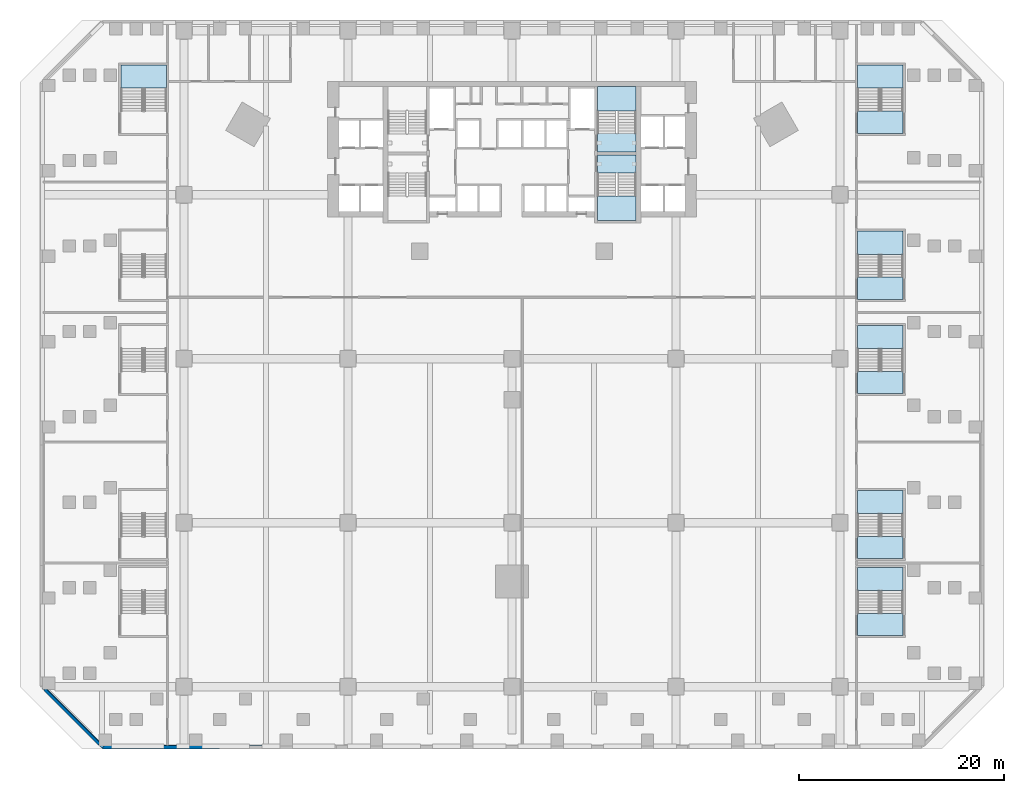
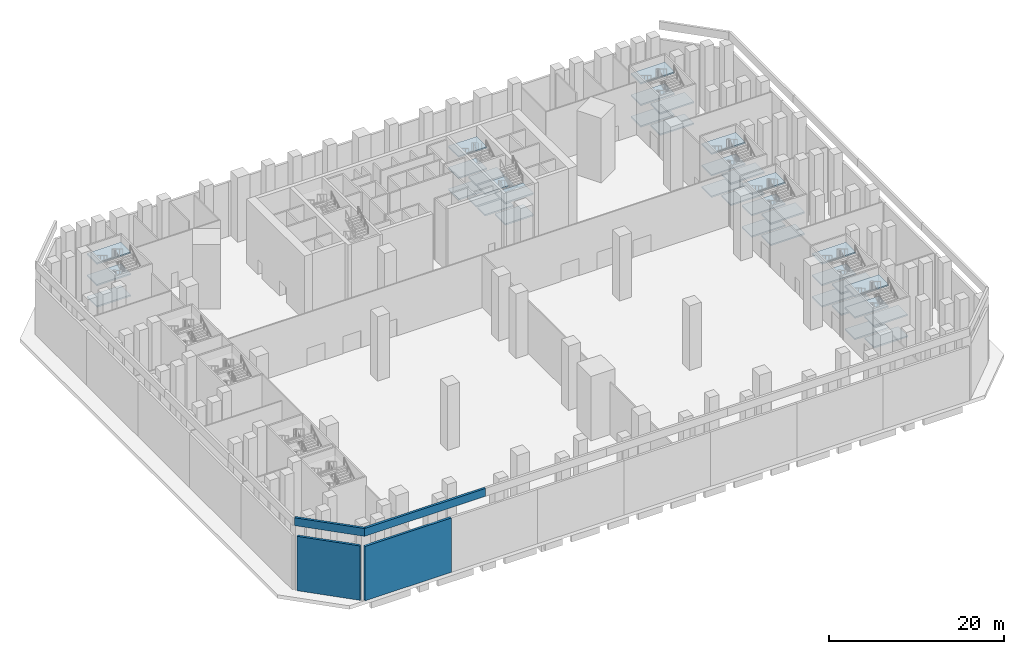
# One storey, part 4 of 25: 37 slabs, 4 walls, 8 elements without a shape of their own.
"""IFC4 building model written with IfcOpenShell, lengths in metres."""

import ifcopenshell
import ifcopenshell.guid

model = None  # the IFC model being written
_history = None  # IfcOwnerHistory: only IFC2X3 demands one
_inside = {}  # id of a spatial element -> (the spatial element, [elements in it])
_under = {}  # id of a project, library or spatial element -> (it, [spatial elements below it])
_declared = {}  # id of a project -> (the project, [libraries it declares])
_typed = {}  # id of a type object -> (the type object, [elements of that type])
_made_of = {}  # id of a material, layer set ... -> (it, [elements and type objects made of it])


def new_model(schema):
    """Start an empty IFC model of exactly this schema.

    Asked for "IFC4X3", IfcOpenShell would pick the latest addendum, in which some entities
    have other attributes; the version numbers below select the first issue.
    IFC2X3 requires an IfcOwnerHistory on every rooted entity: one is made here for all.
    """
    global model, _history
    if schema == "IFC4X3":
        model = ifcopenshell.file(schema_version=(4, 3, 0, 0))
    else:
        model = ifcopenshell.file(schema=schema)
    _inside.clear()
    _under.clear()
    _declared.clear()
    _typed.clear()
    _made_of.clear()
    _history = None
    if model.schema == "IFC2X3":
        org = make("IfcOrganization", Name="unknown")
        user = make(
            "IfcPersonAndOrganization",
            ThePerson=make("IfcPerson", FamilyName="unknown"),
            TheOrganization=org,
        )
        app = make(
            "IfcApplication",
            ApplicationDeveloper=org,
            Version="unknown",
            ApplicationFullName="unknown",
            ApplicationIdentifier="unknown",
        )
        _history = make(
            "IfcOwnerHistory",
            OwningUser=user,
            OwningApplication=app,
            ChangeAction="ADDED",
            CreationDate=0,
        )
    return model


def make(cls, **values):
    """One entity of the class cls with the attributes given. An attribute that is None is left unset."""
    return model.create_entity(
        cls, **{name: value for name, value in values.items() if value is not None}
    )


def rooted(cls, **values):
    """An entity with a GlobalId (a new one), such as an element, a storey or a relation."""
    return make(cls, GlobalId=ifcopenshell.guid.new(), OwnerHistory=_history, **values)


def si_unit(unit_type, name, prefix=None):
    """IfcSIUnit, for example si_unit("LENGTHUNIT", "METRE", prefix="MILLI")."""
    return make("IfcSIUnit", UnitType=unit_type, Prefix=prefix, Name=name)


def assignment(units):
    """IfcUnitAssignment: the units of a project."""
    return None if units is None else make("IfcUnitAssignment", Units=units)


def point(xyz):
    """IfcCartesianPoint."""
    return None if xyz is None else make("IfcCartesianPoint", Coordinates=xyz)


def direction(xyz):
    """IfcDirection."""
    return None if xyz is None else make("IfcDirection", DirectionRatios=xyz)


def frame(location, z_axis=None, x_axis=None):
    """IfcAxis2Placement3D, a coordinate frame: its origin and axes. An axis left out is left unset."""
    return make(
        "IfcAxis2Placement3D",
        Location=point(location),
        Axis=direction(z_axis),
        RefDirection=direction(x_axis),
    )


def frame_2d(location, x_axis=None):
    """IfcAxis2Placement2D, a coordinate frame in the plane: its origin and x axis."""
    return make(
        "IfcAxis2Placement2D", Location=point(location), RefDirection=direction(x_axis)
    )


def origin():
    """The frame at (0, 0, 0) with its axes left unset."""
    return frame((0.0, 0.0, 0.0))


def place(relative_to, where):
    """IfcLocalPlacement: puts the frame where relative to a parent placement (None: the world)."""
    return make(
        "IfcLocalPlacement", PlacementRelTo=relative_to, RelativePlacement=where
    )


def context(
    kind, dimensions, precision=None, world=None, true_north=None, identifier=None
):
    """IfcGeometricRepresentationContext, for example the 3D "Model" context."""
    return make(
        "IfcGeometricRepresentationContext",
        ContextIdentifier=identifier,
        ContextType=kind,
        CoordinateSpaceDimension=dimensions,
        Precision=precision,
        WorldCoordinateSystem=world,
        TrueNorth=true_north,
    )


def subcontext(parent, identifier, kind, view, scale=None):
    """IfcGeometricRepresentationSubContext, for example "Body" below "Model"."""
    return make(
        "IfcGeometricRepresentationSubContext",
        ContextIdentifier=identifier,
        ContextType=kind,
        ParentContext=parent,
        TargetScale=scale,
        TargetView=view,
    )


def project(units=None, contexts=None):
    """IfcProject with its units and contexts."""
    return rooted(
        "IfcProject",
        Name="project",
        RepresentationContexts=contexts,
        UnitsInContext=assignment(units),
    )


def spatial(cls, under=None, at=None, **own):
    """A site, building, storey or space (cls), placed at a placement, below another one or the project."""
    s = rooted(cls, ObjectPlacement=at, **own)
    if under is not None:
        _under.setdefault(under.id(), (under, []))[1].append(s)
    return s


def polyline(points):
    """IfcPolyline through the points."""
    return make("IfcPolyline", Points=[point(p) for p in points])


def profile(cls, at=None, kind="AREA", **sizes):
    """A parametric profile (cls). Its sizes go by their IFC names, for example OverallWidth=200.0."""
    return make(cls, ProfileType=kind, Position=at, **sizes)


def rectangle(**sizes):
    """IfcRectangleProfileDef."""
    return profile("IfcRectangleProfileDef", **sizes)


def outline(outer, holes=None, kind="AREA"):
    """IfcArbitraryClosedProfileDef: a profile drawn as a closed curve; with holes, ...WithVoids."""
    if holes is None:
        return make("IfcArbitraryClosedProfileDef", ProfileType=kind, OuterCurve=outer)
    return make(
        "IfcArbitraryProfileDefWithVoids",
        ProfileType=kind,
        OuterCurve=outer,
        InnerCurves=holes,
    )


def extrude(swept, where, along, depth):
    """IfcExtrudedAreaSolid: the profile swept, set in the frame where, extruded along a direction by depth."""
    return make(
        "IfcExtrudedAreaSolid",
        SweptArea=swept,
        Position=where,
        ExtrudedDirection=direction(along),
        Depth=depth,
    )


def shape(context_of_items, identifier, shape_type, items):
    """IfcShapeRepresentation: the items that make up one representation, for example the "Body"."""
    return make(
        "IfcShapeRepresentation",
        ContextOfItems=context_of_items,
        RepresentationIdentifier=identifier,
        RepresentationType=shape_type,
        Items=items,
    )


def material(Name=None, Category=None):
    """IfcMaterial."""
    return make("IfcMaterial", Name=Name, Category=Category)


def layer(
    of_material, thickness, ventilated=None, Name=None, Category=None, Priority=None
):
    """IfcMaterialLayer: one layer of a wall or slab, of a material (None: an air gap)."""
    return make(
        "IfcMaterialLayer",
        Material=of_material,
        LayerThickness=thickness,
        IsVentilated=ventilated,
        Name=Name,
        Category=Category,
        Priority=Priority,
    )


def layer_set(layers, Name=None):
    """IfcMaterialLayerSet."""
    return make("IfcMaterialLayerSet", MaterialLayers=layers, LayerSetName=Name)


def made_of(thing, what):
    """Note that an element or type object is made of a material, layer set ...; save() writes the relation."""
    if what is not None:
        _made_of.setdefault(what.id(), (what, []))[1].append(thing)
    return thing


def type_object(cls, material=None, **own):
    """A type object (cls), such as IfcWallType, which elements share."""
    return made_of(rooted(cls, **own), material)


def element(
    cls,
    number,
    at=None,
    inside=None,
    cuts=None,
    type_object=None,
    material=None,
    context=None,
    identifier="Body",
    shape_type=None,
    held_by="IfcProductDefinitionShape",
    body=None,
    shapes=None,
    **own,
):
    """One element of the class cls, such as IfcWall. Its Tag is "e" and its number.

    at: its placement. inside: the storey or other place that contains it. cuts: it is an
    opening in that element (IfcRelVoidsElement). A single representation is given by context,
    identifier, shape_type and body (its items); several are given by shapes. held_by: the class
    of the entity that holds the representations. save() writes the other relations.
    """
    e = rooted(cls, Tag="e%d" % number, ObjectPlacement=at, **own)
    if body is not None:
        shapes = [shape(context, identifier, shape_type, body)]
    if shapes is not None:
        e.Representation = make(held_by, Representations=shapes)
    if inside is not None:
        _inside.setdefault(inside.id(), (inside, []))[1].append(e)
    if cuts is not None:
        rooted(
            "IfcRelVoidsElement", RelatingBuildingElement=cuts, RelatedOpeningElement=e
        )
    if type_object is not None:
        _typed.setdefault(type_object.id(), (type_object, []))[1].append(e)
    return made_of(e, material)


def aggregate(whole, parts):
    """IfcRelAggregates: a whole, such as a stair, and the parts it consists of."""
    return rooted("IfcRelAggregates", RelatingObject=whole, RelatedObjects=parts)


def save(model, path):
    """Write the relations noted so far, then the file.

    IfcRelAggregates (storeys below a building ...), IfcRelContainedInSpatialStructure (elements
    in a storey), IfcRelDefinesByType, IfcRelAssociatesMaterial and IfcRelDeclares: one each for
    every whole, place, type object, material and project.
    """
    for whole, parts in _under.values():
        aggregate(whole, parts)
    for where, things in _inside.values():
        rooted(
            "IfcRelContainedInSpatialStructure",
            RelatedElements=things,
            RelatingStructure=where,
        )
    for kind, things in _typed.values():
        rooted("IfcRelDefinesByType", RelatedObjects=things, RelatingType=kind)
    for what, things in _made_of.values():
        rooted("IfcRelAssociatesMaterial", RelatedObjects=things, RelatingMaterial=what)
    for by, libraries in _declared.values():
        rooted("IfcRelDeclares", RelatingContext=by, RelatedDefinitions=libraries)
    model.write(path)


model = new_model("IFC4")

# Units and contexts
model_context = context("Model", 3, precision=1e-05, world=origin(), true_north=direction((0.0, 1.0)))
body_context = subcontext(model_context, "Body", "Model", "MODEL_VIEW")
ifc_project = project(units=[si_unit("LENGTHUNIT", "METRE"), si_unit("AREAUNIT", "SQUARE_METRE"), si_unit("VOLUMEUNIT", "CUBIC_METRE"), si_unit("PLANEANGLEUNIT", "RADIAN"), si_unit("MASSUNIT", "GRAM", prefix="KILO")], contexts=[model_context])

# Site, building, storey
site_placement = place(None, origin())
site = spatial("IfcSite", under=ifc_project, at=site_placement, CompositionType="ELEMENT")
building_placement = place(site_placement, origin())
building = spatial("IfcBuilding", under=site, at=building_placement, Name="Calabash Gate Tower", CompositionType="ELEMENT")
storey_placement = place(building_placement, frame((0.0, 0.0, 20.0)))
storey = spatial("IfcBuildingStorey", under=building, at=storey_placement, Name="L02", CompositionType="ELEMENT", Elevation=20.0)

# Stair, slabs
ifc_material_1 = material(Name="Concrete C40/50", Category="concrete")
stair_type_1 = type_object("IfcStairType", Name="Exit stair 54 risers of 166.7 mm", PredefinedType="HALF_TURN_STAIR", material=ifc_material_1)
stair_1_placement = place(storey_placement, origin())
stair_1 = element("IfcStair", 1, at=stair_1_placement, inside=storey, type_object=stair_type_1, Name="L02 Exit stair ST3", PredefinedType="HALF_TURN_STAIR")
ifc_material_2 = material(Name="Concrete C40/50", Category="concrete")
ifc_layer_1 = layer(ifc_material_2, 0.199951171875)
ifc_layer_set_1 = layer_set([ifc_layer_1], Name="Stair landing SL200")
slab_type = type_object("IfcSlabType", Name="Stair landing SL200", PredefinedType="LANDING", material=ifc_layer_set_1)
slab_1_placement = place(storey_placement, frame((0.0, 0.0, 1.300048828125)))
slab_1 = element("IfcSlab", 2, at=slab_1_placement, type_object=slab_type, Name="ST3 landing 1", PredefinedType="LANDING", context=body_context, shape_type="SweptSolid", body=[
    extrude(outline(polyline([(12.10009765625, 16.1845703125), (12.10009765625, 18.552490234375), (8.35009765625, 18.552490234375), (8.35009765625, 16.1845703125), (12.10009765625, 16.1845703125)])), origin(), (0.0, 0.0, 1.0), 0.199951171875),
])
slab_2_placement = place(storey_placement, frame((0.0, 0.0, 2.800048828125)))
slab_2 = element("IfcSlab", 3, at=slab_2_placement, type_object=slab_type, Name="ST3 landing 2", PredefinedType="LANDING", context=body_context, shape_type="SweptSolid", body=[
    extrude(outline(polyline([(12.10009765625, 12.152587890625), (12.10009765625, 13.95263671875), (8.35009765625, 13.95263671875), (8.35009765625, 12.152587890625), (12.10009765625, 12.152587890625)])), origin(), (0.0, 0.0, 1.0), 0.199951171875),
])
slab_3_placement = place(storey_placement, frame((0.0, 0.0, 4.300048828125)))
slab_3 = element("IfcSlab", 4, at=slab_3_placement, type_object=slab_type, Name="ST3 landing 3", PredefinedType="LANDING", context=body_context, shape_type="SweptSolid", body=[
    extrude(outline(polyline([(12.10009765625, 16.1845703125), (12.10009765625, 18.552490234375), (8.35009765625, 18.552490234375), (8.35009765625, 16.1845703125), (12.10009765625, 16.1845703125)])), origin(), (0.0, 0.0, 1.0), 0.199951171875),
])
slab_4_placement = place(storey_placement, frame((0.0, 0.0, 5.800048828125)))
slab_4 = element("IfcSlab", 5, at=slab_4_placement, type_object=slab_type, Name="ST3 landing 4", PredefinedType="LANDING", context=body_context, shape_type="SweptSolid", body=[
    extrude(outline(polyline([(12.10009765625, 12.152587890625), (12.10009765625, 13.95263671875), (8.35009765625, 13.95263671875), (8.35009765625, 12.152587890625), (12.10009765625, 12.152587890625)])), origin(), (0.0, 0.0, 1.0), 0.199951171875),
])
slab_5_placement = place(storey_placement, frame((0.0, 0.0, 7.300048828125)))
slab_5 = element("IfcSlab", 6, at=slab_5_placement, type_object=slab_type, Name="ST3 landing 5", PredefinedType="LANDING", context=body_context, shape_type="SweptSolid", body=[
    extrude(outline(polyline([(12.10009765625, 16.1845703125), (12.10009765625, 18.552490234375), (8.35009765625, 18.552490234375), (8.35009765625, 16.1845703125), (12.10009765625, 16.1845703125)])), origin(), (0.0, 0.0, 1.0), 0.199951171875),
])
aggregate(stair_1, [slab_1, slab_2, slab_3, slab_4, slab_5])

stair_2_placement = place(storey_placement, origin())
stair_2 = element("IfcStair", 7, at=stair_2_placement, inside=storey, type_object=stair_type_1, Name="L02 Exit stair ST4", PredefinedType="HALF_TURN_STAIR")
slab_6_placement = place(storey_placement, frame((0.0, 0.0, 2.800048828125)))
slab_6 = element("IfcSlab", 8, at=slab_6_placement, type_object=slab_type, Name="ST4 landing 2", PredefinedType="LANDING", context=body_context, shape_type="SweptSolid", body=[
    extrude(outline(polyline([(8.35009765625, 11.902587890625), (8.35009765625, 10.1025390625), (12.10009765625, 10.1025390625), (12.10009765625, 11.902587890625), (8.35009765625, 11.902587890625)])), origin(), (0.0, 0.0, 1.0), 0.199951171875),
])
slab_7_placement = place(storey_placement, frame((0.0, 0.0, 4.300048828125)))
slab_7 = element("IfcSlab", 9, at=slab_7_placement, type_object=slab_type, Name="ST4 landing 3", PredefinedType="LANDING", context=body_context, shape_type="SweptSolid", body=[
    extrude(outline(polyline([(8.35009765625, 7.87060546875), (8.35009765625, 5.502685546875), (12.10009765625, 5.502685546875), (12.10009765625, 7.87060546875), (8.35009765625, 7.87060546875)])), origin(), (0.0, 0.0, 1.0), 0.199951171875),
])
slab_8_placement = place(storey_placement, frame((0.0, 0.0, 5.800048828125)))
slab_8 = element("IfcSlab", 10, at=slab_8_placement, type_object=slab_type, Name="ST4 landing 4", PredefinedType="LANDING", context=body_context, shape_type="SweptSolid", body=[
    extrude(outline(polyline([(8.35009765625, 11.902587890625), (8.35009765625, 10.1025390625), (12.10009765625, 10.1025390625), (12.10009765625, 11.902587890625), (8.35009765625, 11.902587890625)])), origin(), (0.0, 0.0, 1.0), 0.199951171875),
])
slab_9_placement = place(storey_placement, frame((0.0, 0.0, 7.300048828125)))
slab_9 = element("IfcSlab", 11, at=slab_9_placement, type_object=slab_type, Name="ST4 landing 5", PredefinedType="LANDING", context=body_context, shape_type="SweptSolid", body=[
    extrude(outline(polyline([(8.35009765625, 7.87060546875), (8.35009765625, 5.502685546875), (12.10009765625, 5.502685546875), (12.10009765625, 7.87060546875), (8.35009765625, 7.87060546875)])), origin(), (0.0, 0.0, 1.0), 0.199951171875),
])
aggregate(stair_2, [slab_6, slab_7, slab_8, slab_9])

ifc_material_3 = material(Name="Concrete C40/50", Category="concrete")
stair_type_2 = type_object("IfcStairType", Name="Public stair 54 risers of 166.7 mm", PredefinedType="HALF_TURN_STAIR", material=ifc_material_3)
stair_3_placement = place(storey_placement, origin())
stair_3 = element("IfcStair", 12, at=stair_3_placement, inside=storey, type_object=stair_type_2, Name="L02 Public Stair PS5", PredefinedType="HALF_TURN_STAIR")
slab_10_placement = place(storey_placement, frame((0.0, 0.0, 1.300048828125)))
slab_10 = element("IfcSlab", 13, at=slab_10_placement, type_object=slab_type, Name="PS5 landing 1", PredefinedType="LANDING", context=body_context, shape_type="SweptSolid", body=[
    extrude(outline(polyline([(-33.699951171875, 18.39208984375), (-33.699951171875, 20.64990234375), (-38.169921875, 20.64990234375), (-38.169921875, 18.39208984375), (-33.699951171875, 18.39208984375)])), origin(), (0.0, 0.0, 1.0), 0.199951171875),
])
slab_11_placement = place(storey_placement, frame((0.0, 0.0, 4.300048828125)))
slab_11 = element("IfcSlab", 14, at=slab_11_placement, type_object=slab_type, Name="PS5 landing 3", PredefinedType="LANDING", context=body_context, shape_type="SweptSolid", body=[
    extrude(outline(polyline([(-33.699951171875, 18.39208984375), (-33.699951171875, 20.64990234375), (-38.169921875, 20.64990234375), (-38.169921875, 18.39208984375), (-33.699951171875, 18.39208984375)])), origin(), (0.0, 0.0, 1.0), 0.199951171875),
])
slab_12_placement = place(storey_placement, frame((0.0, 0.0, 7.300048828125)))
slab_12 = element("IfcSlab", 15, at=slab_12_placement, type_object=slab_type, Name="PS5 landing 5", PredefinedType="LANDING", context=body_context, shape_type="SweptSolid", body=[
    extrude(outline(polyline([(-33.699951171875, 18.39208984375), (-33.699951171875, 20.64990234375), (-38.169921875, 20.64990234375), (-38.169921875, 18.39208984375), (-33.699951171875, 18.39208984375)])), origin(), (0.0, 0.0, 1.0), 0.199951171875),
])
aggregate(stair_3, [slab_10, slab_11, slab_12])

stair_4_placement = place(storey_placement, origin())
stair_4 = element("IfcStair", 16, at=stair_4_placement, inside=storey, type_object=stair_type_2, Name="L02 Public Stair PS6", PredefinedType="HALF_TURN_STAIR")
slab_13_placement = place(storey_placement, frame((0.0, 0.0, 1.300048828125)))
slab_13 = element("IfcSlab", 17, at=slab_13_placement, type_object=slab_type, Name="PS6 landing 1", PredefinedType="LANDING", context=body_context, shape_type="SweptSolid", body=[
    extrude(outline(polyline([(38.169921875, -30.60791015625), (38.169921875, -28.35009765625), (33.699951171875, -28.35009765625), (33.699951171875, -30.60791015625), (38.169921875, -30.60791015625)])), origin(), (0.0, 0.0, 1.0), 0.199951171875),
])
slab_14_placement = place(storey_placement, frame((0.0, 0.0, 2.800048828125)))
slab_14 = element("IfcSlab", 18, at=slab_14_placement, type_object=slab_type, Name="PS6 landing 2", PredefinedType="LANDING", context=body_context, shape_type="SweptSolid", body=[
    extrude(outline(polyline([(38.169921875, -35.0), (38.169921875, -32.840087890625), (33.699951171875, -32.840087890625), (33.699951171875, -35.0), (38.169921875, -35.0)])), origin(), (0.0, 0.0, 1.0), 0.199951171875),
])
slab_15_placement = place(storey_placement, frame((0.0, 0.0, 4.300048828125)))
slab_15 = element("IfcSlab", 19, at=slab_15_placement, type_object=slab_type, Name="PS6 landing 3", PredefinedType="LANDING", context=body_context, shape_type="SweptSolid", body=[
    extrude(outline(polyline([(38.169921875, -30.60791015625), (38.169921875, -28.35009765625), (33.699951171875, -28.35009765625), (33.699951171875, -30.60791015625), (38.169921875, -30.60791015625)])), origin(), (0.0, 0.0, 1.0), 0.199951171875),
])
slab_16_placement = place(storey_placement, frame((0.0, 0.0, 5.800048828125)))
slab_16 = element("IfcSlab", 20, at=slab_16_placement, type_object=slab_type, Name="PS6 landing 4", PredefinedType="LANDING", context=body_context, shape_type="SweptSolid", body=[
    extrude(outline(polyline([(38.169921875, -35.0), (38.169921875, -32.840087890625), (33.699951171875, -32.840087890625), (33.699951171875, -35.0), (38.169921875, -35.0)])), origin(), (0.0, 0.0, 1.0), 0.199951171875),
])
slab_17_placement = place(storey_placement, frame((0.0, 0.0, 7.300048828125)))
slab_17 = element("IfcSlab", 21, at=slab_17_placement, type_object=slab_type, Name="PS6 landing 5", PredefinedType="LANDING", context=body_context, shape_type="SweptSolid", body=[
    extrude(outline(polyline([(38.169921875, -30.60791015625), (38.169921875, -28.35009765625), (33.699951171875, -28.35009765625), (33.699951171875, -30.60791015625), (38.169921875, -30.60791015625)])), origin(), (0.0, 0.0, 1.0), 0.199951171875),
])
aggregate(stair_4, [slab_13, slab_14, slab_15, slab_16, slab_17])

stair_5_placement = place(storey_placement, origin())
stair_5 = element("IfcStair", 22, at=stair_5_placement, inside=storey, type_object=stair_type_2, Name="L02 Public Stair PS7", PredefinedType="HALF_TURN_STAIR")
slab_18_placement = place(storey_placement, frame((0.0, 0.0, 1.300048828125)))
slab_18 = element("IfcSlab", 23, at=slab_18_placement, type_object=slab_type, Name="PS7 landing 1", PredefinedType="LANDING", context=body_context, shape_type="SweptSolid", body=[
    extrude(outline(polyline([(38.169921875, -23.10791015625), (38.169921875, -20.85009765625), (33.699951171875, -20.85009765625), (33.699951171875, -23.10791015625), (38.169921875, -23.10791015625)])), origin(), (0.0, 0.0, 1.0), 0.199951171875),
])
slab_19_placement = place(storey_placement, frame((0.0, 0.0, 2.800048828125)))
slab_19 = element("IfcSlab", 24, at=slab_19_placement, type_object=slab_type, Name="PS7 landing 2", PredefinedType="LANDING", context=body_context, shape_type="SweptSolid", body=[
    extrude(outline(polyline([(38.169921875, -27.5), (38.169921875, -25.340087890625), (33.699951171875, -25.340087890625), (33.699951171875, -27.5), (38.169921875, -27.5)])), origin(), (0.0, 0.0, 1.0), 0.199951171875),
])
slab_20_placement = place(storey_placement, frame((0.0, 0.0, 4.300048828125)))
slab_20 = element("IfcSlab", 25, at=slab_20_placement, type_object=slab_type, Name="PS7 landing 3", PredefinedType="LANDING", context=body_context, shape_type="SweptSolid", body=[
    extrude(outline(polyline([(38.169921875, -23.10791015625), (38.169921875, -20.85009765625), (33.699951171875, -20.85009765625), (33.699951171875, -23.10791015625), (38.169921875, -23.10791015625)])), origin(), (0.0, 0.0, 1.0), 0.199951171875),
])
slab_21_placement = place(storey_placement, frame((0.0, 0.0, 5.800048828125)))
slab_21 = element("IfcSlab", 26, at=slab_21_placement, type_object=slab_type, Name="PS7 landing 4", PredefinedType="LANDING", context=body_context, shape_type="SweptSolid", body=[
    extrude(outline(polyline([(38.169921875, -27.5), (38.169921875, -25.340087890625), (33.699951171875, -25.340087890625), (33.699951171875, -27.5), (38.169921875, -27.5)])), origin(), (0.0, 0.0, 1.0), 0.199951171875),
])
slab_22_placement = place(storey_placement, frame((0.0, 0.0, 7.300048828125)))
slab_22 = element("IfcSlab", 27, at=slab_22_placement, type_object=slab_type, Name="PS7 landing 5", PredefinedType="LANDING", context=body_context, shape_type="SweptSolid", body=[
    extrude(outline(polyline([(38.169921875, -23.10791015625), (38.169921875, -20.85009765625), (33.699951171875, -20.85009765625), (33.699951171875, -23.10791015625), (38.169921875, -23.10791015625)])), origin(), (0.0, 0.0, 1.0), 0.199951171875),
])
aggregate(stair_5, [slab_18, slab_19, slab_20, slab_21, slab_22])

stair_6_placement = place(storey_placement, origin())
stair_6 = element("IfcStair", 28, at=stair_6_placement, inside=storey, type_object=stair_type_2, Name="L02 Public Stair PS8", PredefinedType="HALF_TURN_STAIR")
slab_23_placement = place(storey_placement, frame((0.0, 0.0, 1.300048828125)))
slab_23 = element("IfcSlab", 29, at=slab_23_placement, type_object=slab_type, Name="PS8 landing 1", PredefinedType="LANDING", context=body_context, shape_type="SweptSolid", body=[
    extrude(outline(polyline([(38.169921875, -7.008056640625), (38.169921875, -4.75), (33.699951171875, -4.75), (33.699951171875, -7.008056640625), (38.169921875, -7.008056640625)])), origin(), (0.0, 0.0, 1.0), 0.199951171875),
])
slab_24_placement = place(storey_placement, frame((0.0, 0.0, 2.800048828125)))
slab_24 = element("IfcSlab", 30, at=slab_24_placement, type_object=slab_type, Name="PS8 landing 2", PredefinedType="LANDING", context=body_context, shape_type="SweptSolid", body=[
    extrude(outline(polyline([(38.169921875, -11.39990234375), (38.169921875, -9.239990234375), (33.699951171875, -9.239990234375), (33.699951171875, -11.39990234375), (38.169921875, -11.39990234375)])), origin(), (0.0, 0.0, 1.0), 0.199951171875),
])
slab_25_placement = place(storey_placement, frame((0.0, 0.0, 4.300048828125)))
slab_25 = element("IfcSlab", 31, at=slab_25_placement, type_object=slab_type, Name="PS8 landing 3", PredefinedType="LANDING", context=body_context, shape_type="SweptSolid", body=[
    extrude(outline(polyline([(38.169921875, -7.008056640625), (38.169921875, -4.75), (33.699951171875, -4.75), (33.699951171875, -7.008056640625), (38.169921875, -7.008056640625)])), origin(), (0.0, 0.0, 1.0), 0.199951171875),
])
slab_26_placement = place(storey_placement, frame((0.0, 0.0, 5.800048828125)))
slab_26 = element("IfcSlab", 32, at=slab_26_placement, type_object=slab_type, Name="PS8 landing 4", PredefinedType="LANDING", context=body_context, shape_type="SweptSolid", body=[
    extrude(outline(polyline([(38.169921875, -11.39990234375), (38.169921875, -9.239990234375), (33.699951171875, -9.239990234375), (33.699951171875, -11.39990234375), (38.169921875, -11.39990234375)])), origin(), (0.0, 0.0, 1.0), 0.199951171875),
])
slab_27_placement = place(storey_placement, frame((0.0, 0.0, 7.300048828125)))
slab_27 = element("IfcSlab", 33, at=slab_27_placement, type_object=slab_type, Name="PS8 landing 5", PredefinedType="LANDING", context=body_context, shape_type="SweptSolid", body=[
    extrude(outline(polyline([(38.169921875, -7.008056640625), (38.169921875, -4.75), (33.699951171875, -4.75), (33.699951171875, -7.008056640625), (38.169921875, -7.008056640625)])), origin(), (0.0, 0.0, 1.0), 0.199951171875),
])
aggregate(stair_6, [slab_23, slab_24, slab_25, slab_26, slab_27])

stair_7_placement = place(storey_placement, origin())
stair_7 = element("IfcStair", 34, at=stair_7_placement, inside=storey, type_object=stair_type_2, Name="L02 Public Stair PS9", PredefinedType="HALF_TURN_STAIR")
slab_28_placement = place(storey_placement, frame((0.0, 0.0, 1.300048828125)))
slab_28 = element("IfcSlab", 35, at=slab_28_placement, type_object=slab_type, Name="PS9 landing 1", PredefinedType="LANDING", context=body_context, shape_type="SweptSolid", body=[
    extrude(outline(polyline([(38.169921875, 2.19189453125), (38.169921875, 4.449951171875), (33.699951171875, 4.449951171875), (33.699951171875, 2.19189453125), (38.169921875, 2.19189453125)])), origin(), (0.0, 0.0, 1.0), 0.199951171875),
])
slab_29_placement = place(storey_placement, frame((0.0, 0.0, 2.800048828125)))
slab_29 = element("IfcSlab", 36, at=slab_29_placement, type_object=slab_type, Name="PS9 landing 2", PredefinedType="LANDING", context=body_context, shape_type="SweptSolid", body=[
    extrude(outline(polyline([(38.169921875, -2.199951171875), (38.169921875, -0.0400390625), (33.699951171875, -0.0400390625), (33.699951171875, -2.199951171875), (38.169921875, -2.199951171875)])), origin(), (0.0, 0.0, 1.0), 0.199951171875),
])
slab_30_placement = place(storey_placement, frame((0.0, 0.0, 4.300048828125)))
slab_30 = element("IfcSlab", 37, at=slab_30_placement, type_object=slab_type, Name="PS9 landing 3", PredefinedType="LANDING", context=body_context, shape_type="SweptSolid", body=[
    extrude(outline(polyline([(38.169921875, 2.19189453125), (38.169921875, 4.449951171875), (33.699951171875, 4.449951171875), (33.699951171875, 2.19189453125), (38.169921875, 2.19189453125)])), origin(), (0.0, 0.0, 1.0), 0.199951171875),
])
slab_31_placement = place(storey_placement, frame((0.0, 0.0, 5.800048828125)))
slab_31 = element("IfcSlab", 38, at=slab_31_placement, type_object=slab_type, Name="PS9 landing 4", PredefinedType="LANDING", context=body_context, shape_type="SweptSolid", body=[
    extrude(outline(polyline([(38.169921875, -2.199951171875), (38.169921875, -0.0400390625), (33.699951171875, -0.0400390625), (33.699951171875, -2.199951171875), (38.169921875, -2.199951171875)])), origin(), (0.0, 0.0, 1.0), 0.199951171875),
])
slab_32_placement = place(storey_placement, frame((0.0, 0.0, 7.300048828125)))
slab_32 = element("IfcSlab", 39, at=slab_32_placement, type_object=slab_type, Name="PS9 landing 5", PredefinedType="LANDING", context=body_context, shape_type="SweptSolid", body=[
    extrude(outline(polyline([(38.169921875, 2.19189453125), (38.169921875, 4.449951171875), (33.699951171875, 4.449951171875), (33.699951171875, 2.19189453125), (38.169921875, 2.19189453125)])), origin(), (0.0, 0.0, 1.0), 0.199951171875),
])
aggregate(stair_7, [slab_28, slab_29, slab_30, slab_31, slab_32])

stair_8_placement = place(storey_placement, origin())
stair_8 = element("IfcStair", 40, at=stair_8_placement, inside=storey, type_object=stair_type_2, Name="L02 Public Stair PS10", PredefinedType="HALF_TURN_STAIR")
slab_33_placement = place(storey_placement, frame((0.0, 0.0, 1.300048828125)))
slab_33 = element("IfcSlab", 41, at=slab_33_placement, type_object=slab_type, Name="PS10 landing 1", PredefinedType="LANDING", context=body_context, shape_type="SweptSolid", body=[
    extrude(outline(polyline([(38.169921875, 18.39208984375), (38.169921875, 20.64990234375), (33.699951171875, 20.64990234375), (33.699951171875, 18.39208984375), (38.169921875, 18.39208984375)])), origin(), (0.0, 0.0, 1.0), 0.199951171875),
])
slab_34_placement = place(storey_placement, frame((0.0, 0.0, 2.800048828125)))
slab_34 = element("IfcSlab", 42, at=slab_34_placement, type_object=slab_type, Name="PS10 landing 2", PredefinedType="LANDING", context=body_context, shape_type="SweptSolid", body=[
    extrude(outline(polyline([(38.169921875, 14.0), (38.169921875, 16.159912109375), (33.699951171875, 16.159912109375), (33.699951171875, 14.0), (38.169921875, 14.0)])), origin(), (0.0, 0.0, 1.0), 0.199951171875),
])
slab_35_placement = place(storey_placement, frame((0.0, 0.0, 4.300048828125)))
slab_35 = element("IfcSlab", 43, at=slab_35_placement, type_object=slab_type, Name="PS10 landing 3", PredefinedType="LANDING", context=body_context, shape_type="SweptSolid", body=[
    extrude(outline(polyline([(38.169921875, 18.39208984375), (38.169921875, 20.64990234375), (33.699951171875, 20.64990234375), (33.699951171875, 18.39208984375), (38.169921875, 18.39208984375)])), origin(), (0.0, 0.0, 1.0), 0.199951171875),
])
slab_36_placement = place(storey_placement, frame((0.0, 0.0, 5.800048828125)))
slab_36 = element("IfcSlab", 44, at=slab_36_placement, type_object=slab_type, Name="PS10 landing 4", PredefinedType="LANDING", context=body_context, shape_type="SweptSolid", body=[
    extrude(outline(polyline([(38.169921875, 14.0), (38.169921875, 16.159912109375), (33.699951171875, 16.159912109375), (33.699951171875, 14.0), (38.169921875, 14.0)])), origin(), (0.0, 0.0, 1.0), 0.199951171875),
])
slab_37_placement = place(storey_placement, frame((0.0, 0.0, 7.300048828125)))
slab_37 = element("IfcSlab", 45, at=slab_37_placement, type_object=slab_type, Name="PS10 landing 5", PredefinedType="LANDING", context=body_context, shape_type="SweptSolid", body=[
    extrude(outline(polyline([(38.169921875, 18.39208984375), (38.169921875, 20.64990234375), (33.699951171875, 20.64990234375), (33.699951171875, 18.39208984375), (38.169921875, 18.39208984375)])), origin(), (0.0, 0.0, 1.0), 0.199951171875),
])
aggregate(stair_8, [slab_33, slab_34, slab_35, slab_36, slab_37])

# Walls
ifc_material_4 = material(Name="Terracotta brick masonry, exposed face", Category="masonry")
ifc_layer_2 = layer(ifc_material_4, 0.300048828125)
ifc_layer_set_2 = layer_set([ifc_layer_2], Name="Podium brick wall 300")
wall_type_1 = type_object("IfcWallType", Name="Podium brick wall 300", PredefinedType="SOLIDWALL", material=ifc_layer_set_2)
wall_1_placement = place(storey_placement, frame((-39.949951171875, -45.89990234375, 0.0), z_axis=(0.0, 0.0, 1.0), x_axis=(1.0, 0.0, 0.0)))
element("IfcWall", 46, at=wall_1_placement, inside=storey, type_object=wall_type_1, Name="Podium brick wall L02 0.0.0", PredefinedType="SOLIDWALL", context=body_context, shape_type="SweptSolid", body=[
    extrude(rectangle(XDim=11.414306640625, YDim=0.300048828125, at=frame_2d((5.70703125, 0.0))), origin(), (0.0, 0.0, 1.0), 7.60009765625),
])
wall_2_placement = place(storey_placement, frame((-45.587646484375, -40.27099609375, 0.0), z_axis=(0.0, 0.0, 1.0), x_axis=(0.707106781187, -0.707106781187, 0.0)))
element("IfcWall", 47, at=wall_2_placement, inside=storey, type_object=wall_type_1, Name="Podium brick wall L02 7.0.0", PredefinedType="SOLIDWALL", context=body_context, shape_type="SweptSolid", body=[
    extrude(rectangle(XDim=7.518798828125, YDim=0.300048828125, at=frame_2d((3.75927734375, 0.0))), origin(), (0.0, 0.0, 1.0), 7.60009765625),
])
ifc_material_5 = material(Name="Terracotta brick masonry, exposed face", Category="masonry")
ifc_layer_3 = layer(ifc_material_5, 0.300048828125)
ifc_layer_set_3 = layer_set([ifc_layer_3], Name="Podium parapet wall 300")
wall_type_2 = type_object("IfcWallType", Name="Podium parapet wall 300", PredefinedType="PARAPET", material=ifc_layer_set_3)
wall_3_placement = place(storey_placement, frame((-40.0, -45.85009765625, 9.0), z_axis=(0.0, 0.0, 1.0), x_axis=(1.0, 0.0, 0.0)))
element("IfcWall", 48, at=wall_3_placement, inside=storey, type_object=wall_type_2, Name="Podium parapet L02 0.0.0", PredefinedType="PARAPET", context=body_context, shape_type="SweptSolid", body=[
    extrude(rectangle(XDim=16.0, YDim=0.300048828125, at=frame_2d((8.0, 0.0))), origin(), (0.0, 0.0, 1.0), 1.10009765625),
])
wall_4_placement = place(storey_placement, frame((-45.745361328125, -40.04248046875, 9.0), z_axis=(0.0, 0.0, 1.0), x_axis=(0.707092029666, -0.7071215324, 0.0)))
element("IfcWall", 49, at=wall_4_placement, inside=storey, type_object=wall_type_2, Name="Podium parapet L02 7.0.0", PredefinedType="PARAPET", context=body_context, shape_type="SweptSolid", body=[
    extrude(rectangle(XDim=8.275146484375, YDim=0.300048828125, at=frame_2d((4.1376953125, 0.0))), origin(), (0.0, 0.0, 1.0), 1.10009765625),
])

save(model, "model.ifc")
